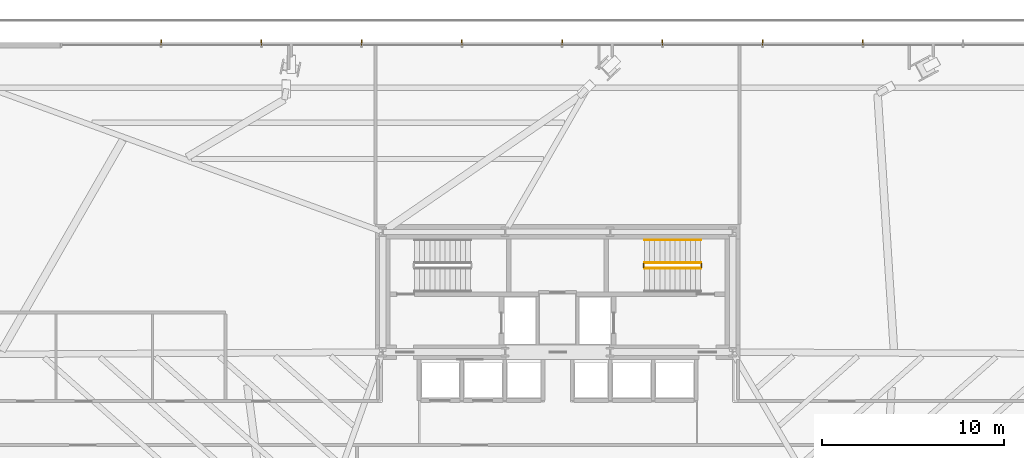
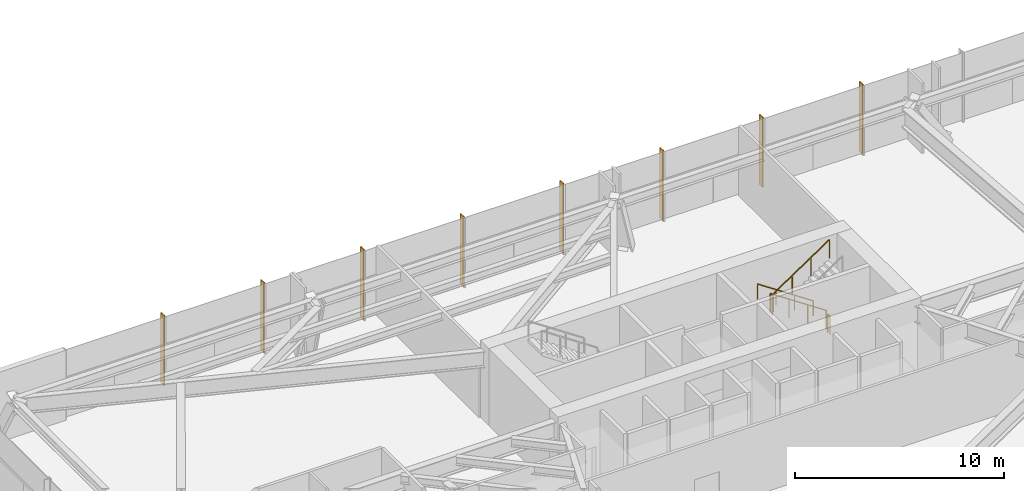
# One storey, part 31 of 33: 8 shading devices, 5 railings.
"""IFC4 building model written with IfcOpenShell, lengths in metres."""

from ifc_helpers import new_model, si_unit, direction, frame, origin, origin_2d, place, context, subcontext, project, spatial, rectangle, extrude, source, transform, mapped, material, type_object, type_shapes, element, save


model = new_model("IFC4")

# Units and contexts
model_context = context("Model", 3, precision=1e-05, world=origin(), true_north=direction((0.0, 1.0)))
body_context = subcontext(model_context, "Body", "Model", "MODEL_VIEW")
ifc_project = project(units=[si_unit("LENGTHUNIT", "METRE"), si_unit("AREAUNIT", "SQUARE_METRE"), si_unit("VOLUMEUNIT", "CUBIC_METRE"), si_unit("PLANEANGLEUNIT", "RADIAN"), si_unit("MASSUNIT", "GRAM", prefix="KILO")], contexts=[model_context])

# Site, building, storey
site_placement = place(None, origin())
site = spatial("IfcSite", under=ifc_project, at=site_placement, CompositionType="ELEMENT")
building_placement = place(site_placement, origin())
building = spatial("IfcBuilding", under=site, at=building_placement, Name="Astriad Promenade Condominiums", CompositionType="ELEMENT")
storey_placement = place(building_placement, frame((0.0, 0.0, 9.5)))
storey = spatial("IfcBuildingStorey", under=building, at=storey_placement, Name="L02", CompositionType="ELEMENT", Elevation=9.5)

# Shading devices
ifc_material_1 = material(Name="Anodised aluminium 6063-T6 Black Fin", Category="aluminium")
shading_device_type = type_object("IfcShadingDeviceType", Name="FIN-BLACK-320", PredefinedType="USERDEFINED", material=ifc_material_1)
shared_shape_1 = source(origin(), body_context, "Body", "SweptSolid", [
    extrude(rectangle(XDim=0.06494140625, YDim=0.320068359375, at=origin_2d()), origin(), (0.0, 0.0, 1.0), 4.080078125),
])
type_shapes(shading_device_type, [shared_shape_1])
for number, where, z_axis, x_axis, name in (
    (1, (14.25, 34.389892578125, 0.0), (0.0, 0.0, 1.0), (1.0, 0.0, 0.0), "CW-L02-N-FIN-01"),
    (2, (19.75, 34.389892578125, 0.0), (0.0, 0.0, 1.0), (1.0, 0.0, 0.0), "CW-L02-N-FIN-02"),
    (3, (25.25, 34.389892578125, 0.0), (0.0, 0.0, 1.0), (1.0, 0.0, 0.0), "CW-L02-N-FIN-03"),
    (4, (30.75, 34.389892578125, 0.0), (0.0, 0.0, 1.0), (1.0, 0.0, 0.0), "CW-L02-N-FIN-04"),
    (5, (36.25, 34.389892578125, 0.0), (0.0, 0.0, 1.0), (1.0, 0.0, 0.0), "CW-L02-N-FIN-05"),
    (6, (41.75, 34.389892578125, 0.0), (0.0, 0.0, 1.0), (1.0, 0.0, 0.0), "CW-L02-N-FIN-06"),
    (7, (47.25, 34.389892578125, 0.0), (0.0, 0.0, 1.0), (1.0, 0.0, 0.0), "CW-L02-N-FIN-07"),
    (8, (52.75, 34.389892578125, 0.0), (0.0, 0.0, 1.0), (1.0, 0.0, 0.0), "CW-L02-N-FIN-08"),
):
    element("IfcShadingDevice", number, at=place(storey_placement, frame(where, z_axis=z_axis, x_axis=x_axis)), inside=storey, type_object=shading_device_type, Name=name, ObjectType="FIN", PredefinedType="USERDEFINED", context=body_context, shape_type="MappedRepresentation", body=[
        mapped(shared_shape_1, transform((0.0, 0.0, 0.0), scale=1.0)),
    ])

# Railings
ifc_material_2 = material(Name="Painted Galvanised Steel Guardrail", Category="steel")
railing_type_1 = type_object("IfcRailingType", Name="GRD-STAIR-1100", PredefinedType="GUARDRAIL", material=ifc_material_2)
shared_shape_2 = source(origin(), body_context, "Body", "SweptSolid", [
    extrude(rectangle(XDim=0.048095703125, YDim=0.048095703125, at=origin_2d()), frame((0.0, 0.0, 1.076171875), z_axis=(0.830913701846, 0.0, 0.55640131208), x_axis=(0.0, 1.0, 0.0)), (0.0, 0.0, 1.0), 3.706787109375),
    extrude(rectangle(XDim=0.0419921875, YDim=0.0419921875, at=origin_2d()), origin(), (0.0, 0.0, 1.0), 1.052001953125),
    extrude(rectangle(XDim=0.0419921875, YDim=0.0419921875, at=origin_2d()), frame((1.026611328125, 0.0, 0.6875)), (0.0, 0.0, 1.0), 1.052001953125),
    extrude(rectangle(XDim=0.0419921875, YDim=0.0419921875, at=origin_2d()), frame((2.053466796875, 0.0, 1.375)), (0.0, 0.0, 1.0), 1.052001953125),
    extrude(rectangle(XDim=0.0419921875, YDim=0.0419921875, at=origin_2d()), frame((3.080078125, 0.0, 2.0625)), (0.0, 0.0, 1.0), 1.052001953125),
])
railing_1_placement = place(storey_placement, frame((40.77001953125, 22.0, 2.4375)))
element("IfcRailing", 9, at=railing_1_placement, inside=storey, type_object=railing_type_1, Name="L02 ST-2 stair guard 3", PredefinedType="GUARDRAIL", context=body_context, shape_type="MappedRepresentation", body=[
    mapped(shared_shape_2, transform((0.0, 0.0, 0.0), scale=1.0)),
])
shared_shape_3 = source(origin(), body_context, "Body", "SweptSolid", [
    extrude(rectangle(XDim=0.048095703125, YDim=0.048095703125, at=origin_2d()), frame((0.0, 0.0, 1.076171875), z_axis=(-0.830913701846, 0.0, 0.55640131208), x_axis=(0.0, -1.0, 0.0)), (0.0, 0.0, 1.0), 3.706787109375),
    extrude(rectangle(XDim=0.0419921875, YDim=0.0419921875, at=origin_2d()), origin(), (0.0, 0.0, 1.0), 1.052001953125),
    extrude(rectangle(XDim=0.0419921875, YDim=0.0419921875, at=origin_2d()), frame((-1.026611328125, 0.0, 0.6875)), (0.0, 0.0, 1.0), 1.052001953125),
    extrude(rectangle(XDim=0.0419921875, YDim=0.0419921875, at=origin_2d()), frame((-2.053466796875, 0.0, 1.375)), (0.0, 0.0, 1.0), 1.052001953125),
    extrude(rectangle(XDim=0.0419921875, YDim=0.0419921875, at=origin_2d()), frame((-3.080078125, 0.0, 2.0625)), (0.0, 0.0, 1.0), 1.052001953125),
])
railing_2_placement = place(storey_placement, frame((43.85009765625, 22.300048828125, 0.1875)))
element("IfcRailing", 10, at=railing_2_placement, inside=storey, type_object=railing_type_1, Name="L02 ST-2 stair guard 1", PredefinedType="GUARDRAIL", context=body_context, shape_type="MappedRepresentation", body=[
    mapped(shared_shape_3, transform((0.0, 0.0, 0.0), scale=1.0)),
])
ifc_material_3 = material(Name="Brushed Stainless Steel Handrail", Category="steel")
railing_type_2 = type_object("IfcRailingType", Name="HRL-STAIR-920", PredefinedType="HANDRAIL", material=ifc_material_3)
shared_shape_4 = source(origin(), body_context, "Body", "SweptSolid", [
    extrude(rectangle(XDim=0.048095703125, YDim=0.048095703125, at=origin_2d()), frame((0.0, 0.0, 0.8759765625), z_axis=(-0.830913701846, 0.0, 0.55640131208), x_axis=(0.0, -1.0, 0.0)), (0.0, 0.0, 1.0), 3.706787109375),
    extrude(rectangle(XDim=0.0419921875, YDim=0.0419921875, at=origin_2d()), origin(), (0.0, 0.0, 1.0), 0.851806640625),
    extrude(rectangle(XDim=0.0419921875, YDim=0.0419921875, at=origin_2d()), frame((-1.026611328125, 0.0, 0.6875)), (0.0, 0.0, 1.0), 0.851806640625),
    extrude(rectangle(XDim=0.0419921875, YDim=0.0419921875, at=origin_2d()), frame((-2.053466796875, 0.0, 1.375)), (0.0, 0.0, 1.0), 0.851806640625),
    extrude(rectangle(XDim=0.0419921875, YDim=0.0419921875, at=origin_2d()), frame((-3.080078125, 0.0, 2.0625)), (0.0, 0.0, 1.0), 0.851806640625),
])
type_shapes(railing_type_2, [shared_shape_4])
railing_3_placement = place(storey_placement, frame((43.85009765625, 23.550048828125, 0.1875)))
element("IfcRailing", 11, at=railing_3_placement, inside=storey, type_object=railing_type_2, Name="L02 ST-2 stair handrail 1", PredefinedType="HANDRAIL", context=body_context, shape_type="MappedRepresentation", body=[
    mapped(shared_shape_4, transform((0.0, 0.0, 0.0), scale=1.0)),
])
shared_shape_5 = source(origin(), body_context, "Body", "SweptSolid", [
    extrude(rectangle(XDim=0.048095703125, YDim=0.048095703125, at=origin_2d()), frame((0.0, 0.0, 1.076171875), z_axis=(0.0, -1.0, 0.0), x_axis=(1.0, 0.0, 0.0)), (0.0, 0.0, 1.0), 0.199951171875),
    extrude(rectangle(XDim=0.0419921875, YDim=0.0419921875, at=origin_2d()), origin(), (0.0, 0.0, 1.0), 1.052001953125),
    extrude(rectangle(XDim=0.0419921875, YDim=0.0419921875, at=origin_2d()), frame((0.0, -0.199951171875, 0.0)), (0.0, 0.0, 1.0), 1.052001953125),
])
type_shapes(railing_type_1, [shared_shape_2, shared_shape_3, shared_shape_5])
for number, where, name in (
    (12, (40.719970703125, 22.25, 2.25), "L02 ST-2 stair guard 2"),
    (13, (43.89990234375, 22.25, 0.0), "L02 ST-2 stair guard 4"),
):
    element("IfcRailing", number, at=place(storey_placement, frame(where)), inside=storey, type_object=railing_type_1, Name=name, PredefinedType="GUARDRAIL", context=body_context, shape_type="MappedRepresentation", body=[
        mapped(shared_shape_5, transform((0.0, 0.0, 0.0), scale=1.0)),
    ])

save(model, "model.ifc")
